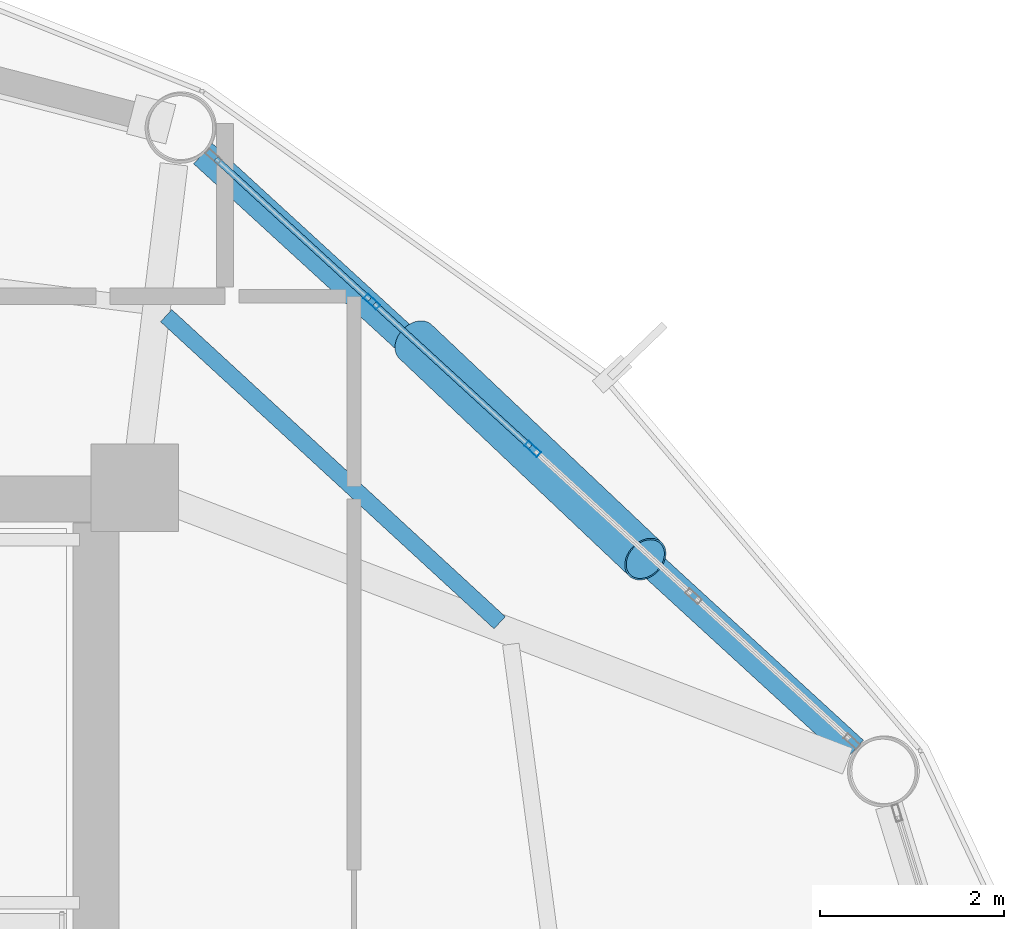
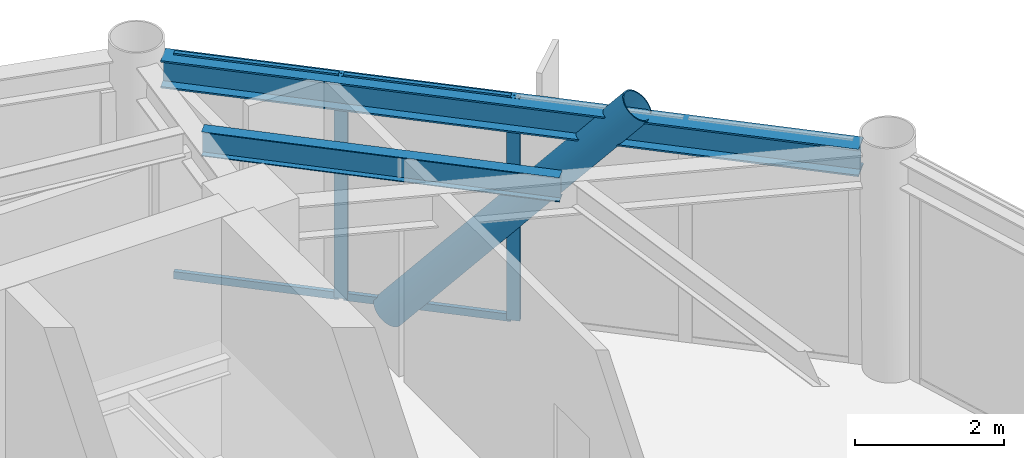
# One storey, part 19 of 26: 7 members, 2 beams, 1 element without a shape of its own.
"""IFC4 building model written with IfcOpenShell, lengths in metres."""

from ifc_helpers import new_model, si_unit, direction, frame, origin, origin_2d, place, context, subcontext, project, spatial, hollow_rectangle, hollow_circle, i_section, extrude, material, layer, layer_set, material_profile, profile_set, type_object, element, aggregate, save


model = new_model("IFC4")

# Units and contexts
model_context = context("Model", 3, precision=1e-05, world=origin(), true_north=direction((0.0, 1.0)))
body_context = subcontext(model_context, "Body", "Model", "MODEL_VIEW")
ifc_project = project(units=[si_unit("LENGTHUNIT", "METRE"), si_unit("AREAUNIT", "SQUARE_METRE"), si_unit("VOLUMEUNIT", "CUBIC_METRE"), si_unit("PLANEANGLEUNIT", "RADIAN"), si_unit("MASSUNIT", "GRAM", prefix="KILO")], contexts=[model_context])

# Site, building, storey
site_placement = place(None, origin())
site = spatial("IfcSite", under=ifc_project, at=site_placement, CompositionType="ELEMENT")
building_placement = place(site_placement, origin())
building = spatial("IfcBuilding", under=site, at=building_placement, Name="Varnakorn Sky Granary", CompositionType="ELEMENT")
storey_placement = place(building_placement, frame((0.0, 0.0, 138.300048828125)))
storey = spatial("IfcBuildingStorey", under=building, at=storey_placement, Name="L34", CompositionType="ELEMENT", Elevation=138.300048828125)

# Beams
ifc_material_1 = material(Name="Steel S355JR", Category="steel")
ifc_material_profile_1 = material_profile(ifc_material_1, i_section(OverallWidth=0.179931640625, OverallDepth=0.39990234375, WebThickness=0.008544921875, FlangeThickness=0.013427734375, at=origin_2d()), Name="IPE 400")
ifc_profile_set_1 = profile_set([ifc_material_profile_1], Name="Steel S355JR")
beam_type_1 = type_object("IfcBeamType", Name="BM-SEC-Z3", PredefinedType="BEAM", material=ifc_profile_set_1)
beam_1_placement = place(storey_placement, frame((12.381103515625, 11.1572265625, 3.43994140625), z_axis=(-0.735634245902, 0.677378960594, 0.0), x_axis=(-0.677378960594, -0.735634245902, 0.0)))
element("IfcBeam", 1, at=beam_1_placement, inside=storey, type_object=beam_type_1, Name="Secondary Floor Chord Beam MSB02 L34", PredefinedType="BEAM", context=body_context, shape_type="SweptSolid", body=[
    extrude(i_section(OverallWidth=0.179931640625, OverallDepth=0.39990234375, WebThickness=0.008544921875, FlangeThickness=0.013427734375, at=origin_2d()), origin(), (0.0, 0.0, 1.0), 4.920166015625),
])
ifc_material_profile_2 = material_profile(ifc_material_1, i_section(OverallWidth=0.300048828125, OverallDepth=0.449951171875, WebThickness=0.013916015625, FlangeThickness=0.02587890625, at=origin_2d()), Name="HE 450 B")
ifc_profile_set_2 = profile_set([ifc_material_profile_2], Name="Steel S355JR")
beam_type_2 = type_object("IfcBeamType", Name="BM-SPD-Z3", PredefinedType="SPANDREL", material=ifc_profile_set_2)
beam_2_placement = place(storey_placement, frame((16.227783203125, 9.771240234375, 3.4150390625), z_axis=(-0.737177396724, 0.675699256888, 0.0), x_axis=(-0.675699256888, -0.737177396724, 0.0)))
element("IfcBeam", 2, at=beam_2_placement, inside=storey, type_object=beam_type_2, Name="Perimeter Spandrel Ring Beam RB02 L34", PredefinedType="SPANDREL", context=body_context, shape_type="SweptSolid", body=[
    extrude(i_section(OverallWidth=0.300048828125, OverallDepth=0.449951171875, WebThickness=0.013916015625, FlangeThickness=0.02587890625, at=origin_2d()), origin(), (0.0, 0.0, 1.0), 9.58642578125),
])

# Curtain wall, members
ifc_material_2 = material(Name="Anodised Bronze Aluminium Alloy 6063-T6", Category="aluminium")
ifc_layer = layer(ifc_material_2, 0.179931640625, Name="Anodised Bronze Aluminium Alloy 6063-T6")
ifc_layer_set = layer_set([ifc_layer], Name="Anodised Bronze Aluminium Alloy 6063-T6")
curtain_wall_type = type_object("IfcCurtainWallType", Name="CW-FRM-2", PredefinedType="USERDEFINED", material=ifc_layer_set)
curtain_wall_placement = place(storey_placement, origin())
curtain_wall = element("IfcCurtainWall", 3, at=curtain_wall_placement, inside=storey, type_object=curtain_wall_type, Name="Unitised Curtain Wall CW4 CW-L34-B02", ObjectType="CURTAIN WALL", PredefinedType="USERDEFINED")
ifc_material_profile_3 = material_profile(ifc_material_2, hollow_rectangle(XDim=0.070068359375, YDim=0.18505859375, WallThickness=0.00390625, at=origin_2d()), Name="ALU MULL 70x185")
ifc_profile_set_3 = profile_set([ifc_material_profile_3], Name="Anodised Bronze Aluminium Alloy 6063-T6")
member_type_1 = type_object("IfcMemberType", Name="CW-FRM-2-MULL", PredefinedType="MULLION", material=ifc_profile_set_3)
member_1_placement = place(storey_placement, frame((10.994384765625, 14.641357421875, 0.0), z_axis=(0.0, 0.0, 1.0), x_axis=(0.675438035219, 0.737416748236, 0.0)))
member_1 = element("IfcMember", 4, at=member_1_placement, type_object=member_type_1, Name="CW4 mullion 2", PredefinedType="MULLION", context=body_context, shape_type="SweptSolid", body=[
    extrude(hollow_rectangle(XDim=0.070068359375, YDim=0.18505859375, WallThickness=0.00390625, at=origin_2d()), origin(), (0.0, 0.0, 1.0), 3.639892578125),
])
member_2_placement = place(storey_placement, frame((12.739501953125, 13.042724609375, 0.0), z_axis=(0.0, 0.0, 1.0), x_axis=(0.675438035219, 0.737416748236, 0.0)))
member_2 = element("IfcMember", 5, at=member_2_placement, type_object=member_type_1, Name="CW4 mullion 3", PredefinedType="MULLION", context=body_context, shape_type="SweptSolid", body=[
    extrude(hollow_rectangle(XDim=0.070068359375, YDim=0.18505859375, WallThickness=0.00390625, at=origin_2d()), origin(), (0.0, 0.0, 1.0), 3.639892578125),
])
ifc_material_profile_4 = material_profile(ifc_material_2, hollow_rectangle(XDim=0.06494140625, YDim=0.1201171875, WallThickness=0.00341796875, at=origin_2d()), Name="ALU TRAN 65x120")
ifc_profile_set_4 = profile_set([ifc_material_profile_4], Name="Anodised Bronze Aluminium Alloy 6063-T6")
member_type_2 = type_object("IfcMemberType", Name="CW-FRM-2-TRAN", PredefinedType="USERDEFINED", material=ifc_profile_set_4)
member_3_placement = place(storey_placement, frame((9.30078125, 16.1923828125, 0.032470703125), z_axis=(0.737409502372, -0.675445945885, 0.0), x_axis=(0.675445945885, 0.737409502372, 0.0)))
member_3 = element("IfcMember", 6, at=member_3_placement, type_object=member_type_2, Name="CW4 transom 1.1", ObjectType="TRANSOM", PredefinedType="USERDEFINED", context=body_context, shape_type="SweptSolid", body=[
    extrude(hollow_rectangle(XDim=0.06494140625, YDim=0.1201171875, WallThickness=0.00341796875, at=origin_2d()), origin(), (0.0, 0.0, 1.0), 2.26171875),
])
member_4_placement = place(storey_placement, frame((9.30078125, 16.1923828125, 3.607421875), z_axis=(0.737409502372, -0.675445945885, 0.0), x_axis=(0.675445945885, 0.737409502372, 0.0)))
member_4 = element("IfcMember", 7, at=member_4_placement, type_object=member_type_2, Name="CW4 transom 1.2", ObjectType="TRANSOM", PredefinedType="USERDEFINED", context=body_context, shape_type="SweptSolid", body=[
    extrude(hollow_rectangle(XDim=0.06494140625, YDim=0.1201171875, WallThickness=0.00341796875, at=origin_2d()), origin(), (0.0, 0.0, 1.0), 2.26171875),
])
member_5_placement = place(storey_placement, frame((11.02001953125, 14.61767578125, 0.032470703125), z_axis=(0.737414424206, -0.675440572496, 0.0), x_axis=(0.675440572496, 0.737414424206, 0.0)))
member_5 = element("IfcMember", 8, at=member_5_placement, type_object=member_type_2, Name="CW4 transom 2.1", ObjectType="TRANSOM", PredefinedType="USERDEFINED", context=body_context, shape_type="SweptSolid", body=[
    extrude(hollow_rectangle(XDim=0.06494140625, YDim=0.1201171875, WallThickness=0.00341796875, at=origin_2d()), origin(), (0.0, 0.0, 1.0), 2.296630859375),
])
member_6_placement = place(storey_placement, frame((11.02001953125, 14.61767578125, 3.607421875), z_axis=(0.737414424206, -0.675440572496, 0.0), x_axis=(0.675440572496, 0.737414424206, 0.0)))
member_6 = element("IfcMember", 9, at=member_6_placement, type_object=member_type_2, Name="CW4 transom 2.2", ObjectType="TRANSOM", PredefinedType="USERDEFINED", context=body_context, shape_type="SweptSolid", body=[
    extrude(hollow_rectangle(XDim=0.06494140625, YDim=0.1201171875, WallThickness=0.00341796875, at=origin_2d()), origin(), (0.0, 0.0, 1.0), 2.296630859375),
])
aggregate(curtain_wall, [member_1, member_2, member_3, member_4, member_5, member_6])

# Member
ifc_material_3 = material(Name="Steel S460M", Category="steel")
ifc_material_profile_5 = material_profile(ifc_material_3, hollow_circle(Radius=0.25390625, WallThickness=0.01806640625, at=origin_2d()), Name="CHS 508x18")
ifc_profile_set_5 = profile_set([ifc_material_profile_5], Name="Steel S460M")
member_type_3 = type_object("IfcMemberType", Name="MB-DIAG-T2", PredefinedType="BRACE", material=ifc_profile_set_5)
member_7_placement = place(storey_placement, frame((11.467529296875, 14.207763671875, -0.130126953125), z_axis=(0.478676855407, -0.452817624228, 0.752213179415), x_axis=(0.687212022838, 0.726456905582, 0.0)))
element("IfcMember", 10, at=member_7_placement, inside=storey, type_object=member_type_3, Name="Perimeter CHS Diagrid Brace DG02 L34", PredefinedType="BRACE", context=body_context, shape_type="SweptSolid", body=[
    extrude(hollow_circle(Radius=0.25390625, WallThickness=0.01806640625, at=origin_2d()), origin(), (0.0, 0.0, 1.0), 5.21142578125),
])

save(model, "model.ifc")
